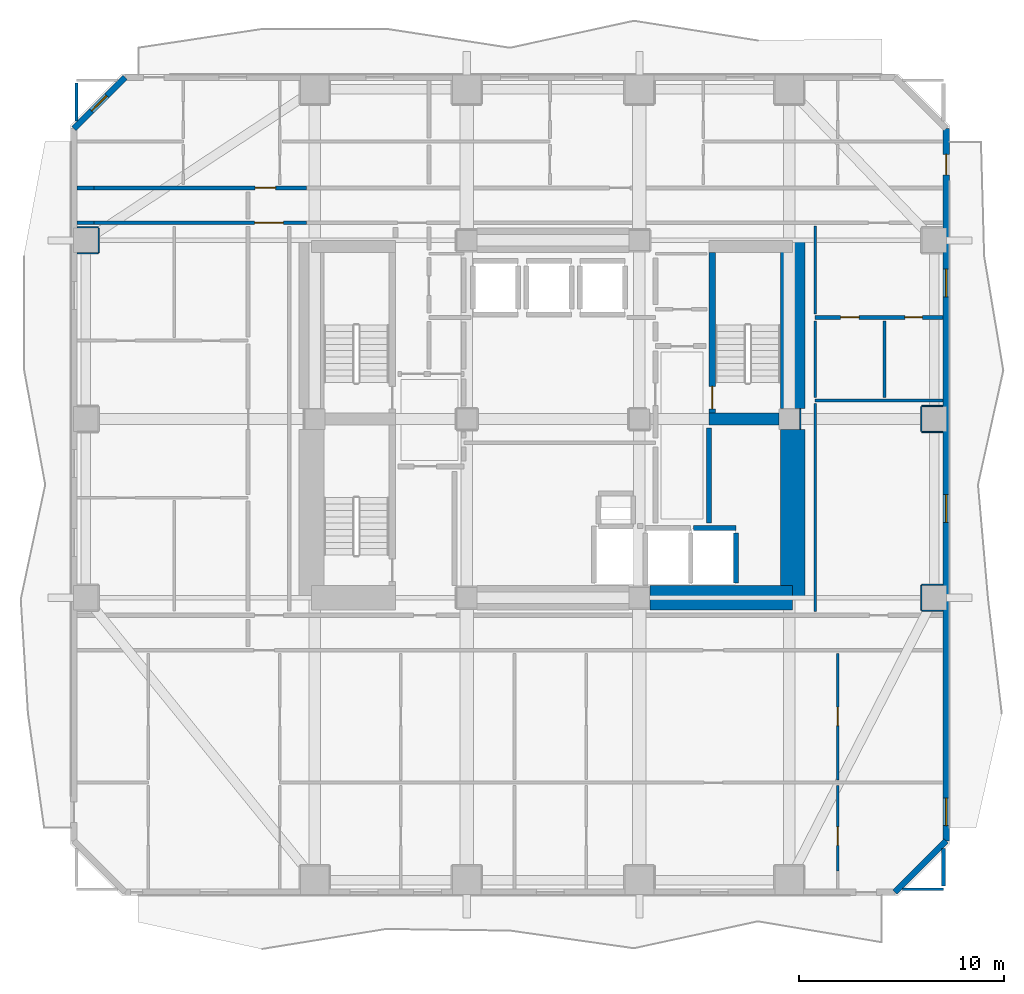
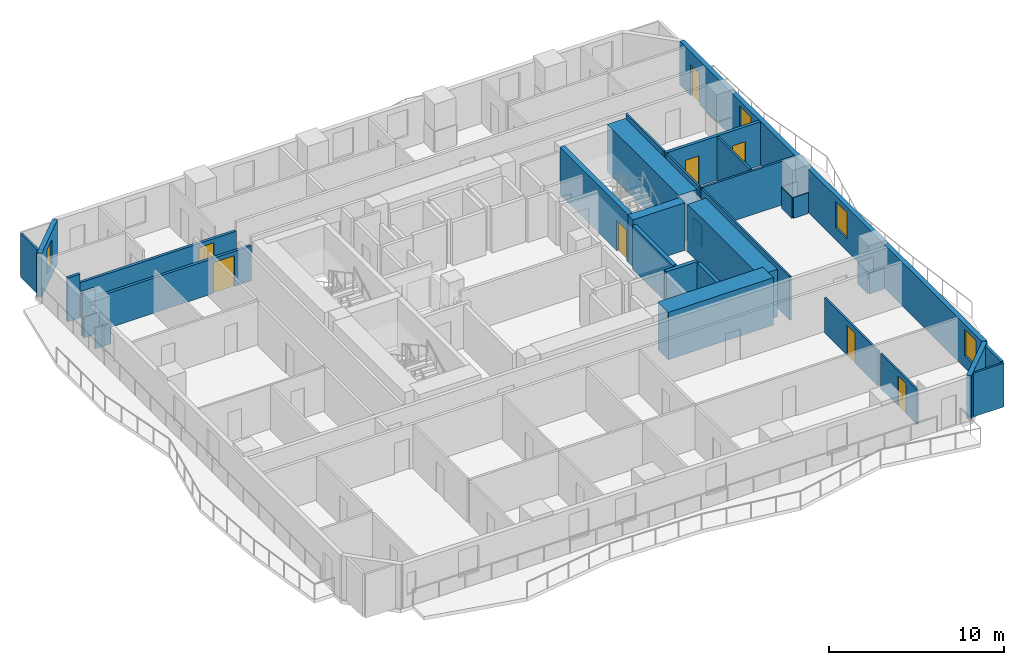
# One storey, part 5 of 11: 36 walls, 8 doors, 4 windows, 12 openings.
"""IFC4 building model written with IfcOpenShell, lengths in metres."""

from ifc_helpers import new_model, si_unit, direction, frame, frame_2d, origin, place, context, subcontext, project, spatial, rectangle, extrude, material, layer, layer_set, type_object, element, fill, save


model = new_model("IFC4")

# Units and contexts
model_context = context("Model", 3, precision=1e-05, world=origin(), true_north=direction((0.0, 1.0)))
body_context = subcontext(model_context, "Body", "Model", "MODEL_VIEW")
ifc_project = project(units=[si_unit("LENGTHUNIT", "METRE"), si_unit("AREAUNIT", "SQUARE_METRE"), si_unit("VOLUMEUNIT", "CUBIC_METRE"), si_unit("PLANEANGLEUNIT", "RADIAN"), si_unit("MASSUNIT", "GRAM", prefix="KILO")], contexts=[model_context])

# Site, building, storey
site_placement = place(None, origin())
site = spatial("IfcSite", under=ifc_project, at=site_placement, CompositionType="ELEMENT")
building_placement = place(site_placement, origin())
building = spatial("IfcBuilding", under=site, at=building_placement, Name="Solanera Arch Residences", CompositionType="ELEMENT")
storey_placement = place(building_placement, frame((0.0, 0.0, 31.9599609375)))
storey = spatial("IfcBuildingStorey", under=building, at=storey_placement, Name="L08", CompositionType="ELEMENT", Elevation=31.9599609375)

# Walls
ifc_material_1 = material(Name="Fire-Rated Gypsum Stud Partition", Category="gypsum")
ifc_layer_1 = layer(ifc_material_1, 0.06005859375)
ifc_layer_set_1 = layer_set([ifc_layer_1], Name="Fire-Rated Gypsum Stud Partition")
wall_type_1 = type_object("IfcWallType", Name="Column Acoustic Furring Wall 60", PredefinedType="PARTITIONING", material=ifc_layer_set_1)
wall_1_placement = place(storey_placement, frame((37.031982421875, 30.2099609375, 0.0), z_axis=(0.0, 0.0, 1.0), x_axis=(0.0, 1.0, 0.0)))
element("IfcWall", 1, at=wall_1_placement, inside=storey, type_object=wall_type_1, Name="L08 Column Furring 6E", PredefinedType="PARTITIONING", context=body_context, shape_type="SweptSolid", body=[
    extrude(rectangle(XDim=0.97998046875, YDim=0.06005859375, at=frame_2d((0.489990234375, 0.0))), origin(), (0.0, 0.0, 1.0), 1.449951171875),
])
for number, where, z_axis, x_axis, name in (
    (2, (42.949951171875, 21.367919921875, 0.0), (0.0, 0.0, 1.0), (1.0, 0.0, 0.0), "L08 Column Furring 18S"),
    (3, (42.949951171875, 22.632080078125, 0.0), (0.0, 0.0, 1.0), (1.0, 0.0, 0.0), "L08 Column Furring 18N"),
):
    element("IfcWall", number, at=place(storey_placement, frame(where, z_axis=z_axis, x_axis=x_axis)), inside=storey, type_object=wall_type_1, Name=name, PredefinedType="PARTITIONING", context=body_context, shape_type="SweptSolid", body=[
        extrude(rectangle(XDim=1.02001953125, YDim=0.06005859375, at=frame_2d((0.510009765625, 0.0))), origin(), (0.0, 0.0, 1.0), 1.449951171875),
    ])
wall_2_placement = place(storey_placement, frame((42.91796875, 21.39990234375, 0.0), z_axis=(0.0, 0.0, 1.0), x_axis=(0.0, 1.0, 0.0)))
element("IfcWall", 4, at=wall_2_placement, inside=storey, type_object=wall_type_1, Name="L08 Column Furring 18W", PredefinedType="PARTITIONING", context=body_context, shape_type="SweptSolid", body=[
    extrude(rectangle(XDim=1.2001953125, YDim=0.06005859375, at=frame_2d((0.60009765625, 0.0))), origin(), (0.0, 0.0, 1.0), 1.449951171875),
])
for number, where, z_axis, x_axis, name in (
    (5, (42.949951171875, 30.068115234375, 0.0), (0.0, 0.0, 1.0), (1.0, 0.0, 0.0), "L08 Column Furring 20S"),
    (6, (42.949951171875, 31.33203125, 0.0), (0.0, 0.0, 1.0), (1.0, 0.0, 0.0), "L08 Column Furring 20N"),
):
    element("IfcWall", number, at=place(storey_placement, frame(where, z_axis=z_axis, x_axis=x_axis)), inside=storey, type_object=wall_type_1, Name=name, PredefinedType="PARTITIONING", context=body_context, shape_type="SweptSolid", body=[
        extrude(rectangle(XDim=1.02001953125, YDim=0.06005859375, at=frame_2d((0.510009765625, 0.0))), origin(), (0.0, 0.0, 1.0), 1.449951171875),
    ])
wall_3_placement = place(storey_placement, frame((42.91796875, 30.10009765625, 0.0), z_axis=(0.0, 0.0, 1.0), x_axis=(0.0, 1.0, 0.0)))
element("IfcWall", 7, at=wall_3_placement, inside=storey, type_object=wall_type_1, Name="L08 Column Furring 20W", PredefinedType="PARTITIONING", context=body_context, shape_type="SweptSolid", body=[
    extrude(rectangle(XDim=1.199951171875, YDim=0.06005859375, at=frame_2d((0.60009765625, 0.0))), origin(), (0.0, 0.0, 1.0), 1.449951171875),
])
for number, where, z_axis, x_axis, name in (
    (8, (1.830078125, 38.76806640625, 0.0), (0.0, 0.0, 1.0), (1.0, 0.0, 0.0), "L08 Column Furring 21S"),
    (9, (1.830078125, 40.031982421875, 0.0), (0.0, 0.0, 1.0), (1.0, 0.0, 0.0), "L08 Column Furring 21N"),
):
    element("IfcWall", number, at=place(storey_placement, frame(where, z_axis=z_axis, x_axis=x_axis)), inside=storey, type_object=wall_type_1, Name=name, PredefinedType="PARTITIONING", context=body_context, shape_type="SweptSolid", body=[
        extrude(rectangle(XDim=1.02001953125, YDim=0.06005859375, at=frame_2d((0.510009765625, 0.0))), origin(), (0.0, 0.0, 1.0), 1.449951171875),
    ])
wall_4_placement = place(storey_placement, frame((2.882080078125, 38.800048828125, 0.0), z_axis=(0.0, 0.0, 1.0), x_axis=(0.0, 1.0, 0.0)))
element("IfcWall", 10, at=wall_4_placement, inside=storey, type_object=wall_type_1, Name="L08 Column Furring 21E", PredefinedType="PARTITIONING", context=body_context, shape_type="SweptSolid", body=[
    extrude(rectangle(XDim=1.199951171875, YDim=0.06005859375, at=frame_2d((0.60009765625, 0.0))), origin(), (0.0, 0.0, 1.0), 1.449951171875),
])
ifc_material_2 = material(Name="Concrete C55/67 (f'c = 60 MPa)", Category="concrete")
ifc_layer_2 = layer(ifc_material_2, 1.199951171875)
ifc_layer_set_2 = layer_set([ifc_layer_2], Name="Concrete C55/67 (f'c = 60 MPa)")
wall_type_2 = type_object("IfcWallType", Name="Core Shear Wall CW-1200", PredefinedType="SHEAR", material=ifc_layer_set_2)
wall_5_placement = place(storey_placement, frame((36.659912109375, 22.0, 0.0), z_axis=(0.0, 0.0, 1.0), x_axis=(0.0, 1.0, 0.0)))
element("IfcWall", 11, at=wall_5_placement, inside=storey, type_object=wall_type_2, Name="L08 East Core South Shear Wall", PredefinedType="SHEAR", context=body_context, shape_type="SweptSolid", body=[
    extrude(rectangle(XDim=8.195068359375, YDim=1.199951171875, at=frame_2d((4.09765625, 0.0))), origin(), (0.0, 0.0, 1.0), 3.320068359375),
])
wall_6_placement = place(storey_placement, frame((36.659912109375, 31.205078125, 0.0), z_axis=(0.0, 0.0, 1.0), x_axis=(0.0, 1.0, 0.0)))
element("IfcWall", 12, at=wall_6_placement, inside=storey, type_object=wall_type_2, Name="L08 East Core North Shear Wall", PredefinedType="SHEAR", context=body_context, shape_type="SweptSolid", body=[
    extrude(rectangle(XDim=8.19482421875, YDim=1.199951171875, at=frame_2d((4.097412109375, 0.0))), origin(), (0.0, 0.0, 1.0), 3.320068359375),
])
wall_7_placement = place(storey_placement, frame((29.705078125, 22.0, 0.0), z_axis=(0.0, 0.0, 1.0), x_axis=(1.0, 0.0, 0.0)))
element("IfcWall", 13, at=wall_7_placement, inside=storey, type_object=wall_type_2, Name="L08 South-East Core Shear Wall", PredefinedType="SHEAR", context=body_context, shape_type="SweptSolid", body=[
    extrude(rectangle(XDim=6.954833984375, YDim=1.199951171875, at=frame_2d((3.4775390625, 0.0))), origin(), (0.0, 0.0, 1.0), 3.320068359375),
])

# Wall, opening, door
ifc_material_3 = material(Name="Concrete C40/50 (f'c = 45 MPa)", Category="concrete")
ifc_layer_3 = layer(ifc_material_3, 0.320068359375)
ifc_layer_set_3 = layer_set([ifc_layer_3], Name="Concrete C40/50 (f'c = 45 MPa)")
wall_type_3 = type_object("IfcWallType", Name="Core Shear Wall CW-320", PredefinedType="SHEAR", material=ifc_layer_set_3)
wall_8_placement = place(storey_placement, frame((32.739990234375, 31.0, 0.0), z_axis=(0.0, 0.0, 1.0), x_axis=(0.0, 1.0, 0.0)))
wall_8 = element("IfcWall", 14, at=wall_8_placement, inside=storey, type_object=wall_type_3, Name="L08 Stair ST-T2 West Shear Wall", PredefinedType="SHEAR", context=body_context, shape_type="SweptSolid", body=[
    extrude(rectangle(XDim=7.800048828125, YDim=0.320068359375, at=frame_2d((3.89990234375, 0.0))), origin(), (0.0, 0.0, 1.0), 3.320068359375),
])
opening_1_placement = place(wall_8_placement, frame((0.18994140625, 0.0, 0.0)))
opening_1 = element("IfcOpeningElement", 15, at=opening_1_placement, cuts=wall_8, Name="Opening DF-01", PredefinedType="OPENING", context=body_context, shape_type="SweptSolid", body=[
    extrude(rectangle(XDim=1.10009765625, YDim=2.14990234375, at=frame_2d((0.550048828125, 1.074951171875))), frame((0.0, 0.169921875, 0.0), z_axis=(0.0, -1.0, 0.0), x_axis=(1.0, 0.0, 0.0)), (0.0, 0.0, 1.0), 0.3401),
])
ifc_material_4 = material(Name="Fire-Rated Architectural Hardwood", Category="wood")
door_type_1 = type_object("IfcDoorType", Name="Stair Exit Fire Door DF-01", OperationType="NOTDEFINED", PredefinedType="DOOR", material=ifc_material_4)
door_1_placement = place(opening_1_placement, origin())
door_1 = element("IfcDoor", 16, at=door_1_placement, inside=storey, type_object=door_type_1, Name="DR-L08-STAIR-ST-T2", OperationType="SINGLE_SWING_LEFT", OverallHeight=2.14990234375, OverallWidth=1.10009765625, PredefinedType="DOOR", context=body_context, shape_type="SweptSolid", body=[
    extrude(rectangle(XDim=1.10009765625, YDim=2.14990234375, at=frame_2d((0.550048828125, 1.074951171875))), frame((0.0, 0.02490234375, 0.0), z_axis=(0.0, -1.0, 0.0), x_axis=(1.0, 0.0, 0.0)), (0.0, 0.0, 1.0), 0.050048828125),
])
fill(opening_1, door_1)

# Walls
ifc_material_5 = material(Name="Concrete C40/50 (f'c = 45 MPa)", Category="concrete")
ifc_layer_4 = layer(ifc_material_5, 0.60009765625)
ifc_layer_set_4 = layer_set([ifc_layer_4], Name="Concrete C40/50 (f'c = 45 MPa)")
wall_type_4 = type_object("IfcWallType", Name="Core Shear Wall CW-600", PredefinedType="SHEAR", material=ifc_layer_set_4)
wall_9_placement = place(storey_placement, frame((32.580078125, 30.699951171875, 0.0), z_axis=(0.0, 0.0, 1.0), x_axis=(1.0, 0.0, 0.0)))
element("IfcWall", 17, at=wall_9_placement, inside=storey, type_object=wall_type_4, Name="L08 East Stair Far-Landing Shear Wall", PredefinedType="SHEAR", context=body_context, shape_type="SweptSolid", body=[
    extrude(rectangle(XDim=3.4150390625, YDim=0.60009765625, at=frame_2d((1.70751953125, 0.0))), origin(), (0.0, 0.0, 1.0), 3.320068359375),
])
ifc_material_6 = material(Name="Autoclaved Aerated Concrete Blockwork", Category="masonry")
ifc_layer_5 = layer(ifc_material_6, 0.179931640625)
ifc_layer_set_5 = layer_set([ifc_layer_5], Name="Autoclaved Aerated Concrete Blockwork")
wall_type_5 = type_object("IfcWallType", Name="Corridor Fire Partition 180", PredefinedType="PARTITIONING", material=ifc_layer_set_5)
wall_10_placement = place(storey_placement, frame((1.826904296875, 40.25, 0.0), z_axis=(0.0, 0.0, 1.0), x_axis=(1.0, 0.0, 0.0)))
element("IfcWall", 18, at=wall_10_placement, inside=storey, type_object=wall_type_5, Name="L08 Interior Partition H11 1", PredefinedType="PARTITIONING", context=body_context, shape_type="SweptSolid", body=[
    extrude(rectangle(XDim=0.833984375, YDim=0.179931640625, at=frame_2d((0.4169921875, 0.0))), origin(), (0.0, 0.0, 1.0), 3.06005859375),
])

# Wall, opening, door
wall_11_placement = place(storey_placement, frame((2.660888671875, 40.25, 0.0), z_axis=(0.0, 0.0, 1.0), x_axis=(1.0, 0.0, 0.0)))
wall_11 = element("IfcWall", 19, at=wall_11_placement, inside=storey, type_object=wall_type_5, Name="L08 Interior Partition H11 2", PredefinedType="PARTITIONING", context=body_context, shape_type="SweptSolid", body=[
    extrude(rectangle(XDim=10.328125, YDim=0.179931640625, at=frame_2d((5.1640625, 0.0))), origin(), (0.0, 0.0, 1.0), 2.445068359375),
])
opening_2_placement = place(wall_11_placement, frame((7.81298828125, 0.0, 0.0)))
opening_2 = element("IfcOpeningElement", 20, at=opening_2_placement, cuts=wall_11, Name="Opening DF-03", PredefinedType="OPENING", context=body_context, shape_type="SweptSolid", body=[
    extrude(rectangle(XDim=1.39990234375, YDim=2.14990234375, at=frame_2d((0.699951171875, 1.074951171875))), frame((0.0, 0.10009765625, 0.0), z_axis=(0.0, -1.0, 0.0), x_axis=(1.0, 0.0, 0.0)), (0.0, 0.0, 1.0), 0.1999),
])
ifc_material_7 = material(Name="Fire-Rated Architectural Hardwood", Category="wood")
door_type_2 = type_object("IfcDoorType", Name="Corridor Smoke Door DF-03", OperationType="NOTDEFINED", PredefinedType="DOOR", material=ifc_material_7)
door_2_placement = place(opening_2_placement, origin())
door_2 = element("IfcDoor", 21, at=door_2_placement, inside=storey, type_object=door_type_2, Name="DR-L08-IN-011", OperationType="SINGLE_SWING_RIGHT", OverallHeight=2.14990234375, OverallWidth=1.39990234375, PredefinedType="DOOR", context=body_context, shape_type="SweptSolid", body=[
    extrude(rectangle(XDim=1.39990234375, YDim=2.14990234375, at=frame_2d((0.699951171875, 1.074951171875))), frame((0.0, 0.02490234375, 0.0), z_axis=(0.0, -1.0, 0.0), x_axis=(1.0, 0.0, 0.0)), (0.0, 0.0, 1.0), 0.050048828125),
])
fill(opening_2, door_2)

# Wall
wall_12_placement = place(storey_placement, frame((1.826904296875, 41.949951171875, 0.0), z_axis=(0.0, 0.0, 1.0), x_axis=(1.0, 0.0, 0.0)))
element("IfcWall", 22, at=wall_12_placement, inside=storey, type_object=wall_type_5, Name="L08 Interior Partition H12 1", PredefinedType="PARTITIONING", context=body_context, shape_type="SweptSolid", body=[
    extrude(rectangle(XDim=0.833984375, YDim=0.179931640625, at=frame_2d((0.4169921875, 0.0))), origin(), (0.0, 0.0, 1.0), 3.06005859375),
])

# Wall, opening, door
wall_13_placement = place(storey_placement, frame((2.660888671875, 41.949951171875, 0.0), z_axis=(0.0, 0.0, 1.0), x_axis=(1.0, 0.0, 0.0)))
wall_13 = element("IfcWall", 23, at=wall_13_placement, inside=storey, type_object=wall_type_5, Name="L08 Interior Partition H12 2", PredefinedType="PARTITIONING", context=body_context, shape_type="SweptSolid", body=[
    extrude(rectangle(XDim=10.328125, YDim=0.179931640625, at=frame_2d((5.1640625, 0.0))), origin(), (0.0, 0.0, 1.0), 2.445068359375),
])
opening_3_placement = place(wall_13_placement, frame((7.833984375, 0.0, 0.0)))
opening_3 = element("IfcOpeningElement", 24, at=opening_3_placement, cuts=wall_13, Name="Opening DI-01", PredefinedType="OPENING", context=body_context, shape_type="SweptSolid", body=[
    extrude(rectangle(XDim=1.0, YDim=2.14990234375, at=frame_2d((0.5, 1.074951171875))), frame((0.0, 0.10009765625, 0.0), z_axis=(0.0, -1.0, 0.0), x_axis=(1.0, 0.0, 0.0)), (0.0, 0.0, 1.0), 0.1999),
])
ifc_material_8 = material(Name="Fire-Rated Architectural Hardwood", Category="wood")
door_type_3 = type_object("IfcDoorType", Name="Unit Entrance Fire Door DI-01", OperationType="NOTDEFINED", PredefinedType="DOOR", material=ifc_material_8)
door_3_placement = place(opening_3_placement, origin())
door_3 = element("IfcDoor", 25, at=door_3_placement, inside=storey, type_object=door_type_3, Name="DR-L08-IN-028", OperationType="SINGLE_SWING_LEFT", OverallHeight=2.14990234375, OverallWidth=1.0, PredefinedType="DOOR", context=body_context, shape_type="SweptSolid", body=[
    extrude(rectangle(XDim=1.0, YDim=2.14990234375, at=frame_2d((0.5, 1.074951171875))), frame((0.0, 0.02490234375, 0.0), z_axis=(0.0, -1.0, 0.0), x_axis=(1.0, 0.0, 0.0)), (0.0, 0.0, 1.0), 0.050048828125),
])
fill(opening_3, door_3)

# Wall
wall_14_placement = place(storey_placement, frame((44.0, 7.9580078125, 0.0), z_axis=(0.0, 0.0, 1.0), x_axis=(0.0, 1.0, 0.0)))
element("IfcWall", 26, at=wall_14_placement, inside=storey, type_object=wall_type_5, Name="L08 Interior Partition V10 1", PredefinedType="PARTITIONING", context=body_context, shape_type="SweptSolid", body=[
    extrude(rectangle(XDim=1.843017578125, YDim=0.179931640625, at=frame_2d((0.92138671875, 0.0))), origin(), (0.0, 0.0, 1.0), 3.06005859375),
])

# Wall, opening, window
ifc_material_9 = material(Name="Precast Concrete C35/45", Category="concrete")
ifc_layer_6 = layer(ifc_material_9, 0.300048828125)
ifc_layer_set_6 = layer_set([ifc_layer_6], Name="Precast Concrete C35/45")
wall_type_6 = type_object("IfcWallType", Name="Exterior Wall Precast Masonry-Frame 300", PredefinedType="STANDARD", material=ifc_layer_set_6)
wall_15_placement = place(storey_placement, frame((1.6650390625, 44.8349609375, 0.0), z_axis=(0.0, 0.0, 1.0), x_axis=(0.707106781187, 0.707106781187, 0.0)))
wall_15 = element("IfcWall", 27, at=wall_15_placement, inside=storey, type_object=wall_type_6, Name="L08 Tower Exterior Precast Masonry-Frame Wall CH1", PredefinedType="STANDARD", context=body_context, shape_type="SweptSolid", body=[
    extrude(rectangle(XDim=3.53564453125, YDim=0.300048828125, at=frame_2d((1.767822265625, 0.0))), origin(), (0.0, 0.0, 1.0), 3.06005859375),
])
opening_4_placement = place(wall_15_placement, frame((1.219970703125, 0.0, 0.85009765625)))
opening_4 = element("IfcOpeningElement", 28, at=opening_4_placement, cuts=wall_15, Name="Opening W-07", PredefinedType="OPENING", context=body_context, shape_type="SweptSolid", body=[
    extrude(rectangle(XDim=1.050048828125, YDim=1.64990234375, at=frame_2d((0.52490234375, 0.824951171875))), frame((0.0, 0.159912109375, 0.0), z_axis=(0.0, -1.0, 0.0), x_axis=(1.0, 0.0, 0.0)), (0.0, 0.0, 1.0), 0.32),
])
ifc_material_10 = material(Name="Double Glazed Low-E Laminated Glass", Category="glass")
window_type_1 = type_object("IfcWindowType", Name="Punched Window W-07", PartitioningType="SINGLE_PANEL", PredefinedType="WINDOW", material=ifc_material_10)
window_1_placement = place(opening_4_placement, origin())
window_1 = element("IfcWindow", 29, at=window_1_placement, inside=storey, type_object=window_type_1, Name="L08 0803-BR1 Corner Punched Window", OverallHeight=1.64990234375, OverallWidth=1.050048828125, PartitioningType="SINGLE_PANEL", PredefinedType="WINDOW", context=body_context, shape_type="SweptSolid", body=[
    extrude(rectangle(XDim=1.050048828125, YDim=1.64990234375, at=frame_2d((0.52490234375, 0.824951171875))), frame((0.0, 0.030029296875, 0.0), z_axis=(0.0, -1.0, 0.0), x_axis=(1.0, 0.0, 0.0)), (0.0, 0.0, 1.0), 0.06005859375),
])
fill(opening_4, window_1)

# Wall, openings, door, windows
wall_16_placement = place(storey_placement, frame((44.135009765625, 44.8349609375, 0.0), z_axis=(0.0, 0.0, 1.0), x_axis=(0.0, -1.0, 0.0)))
wall_16 = element("IfcWall", 30, at=wall_16_placement, inside=storey, type_object=wall_type_6, Name="L08 Tower Exterior Precast Masonry-Frame Wall E", PredefinedType="STANDARD", context=body_context, shape_type="SweptSolid", body=[
    extrude(rectangle(XDim=34.669921875, YDim=0.300048828125, at=frame_2d((17.3349609375, 0.0))), origin(), (0.0, 0.0, 1.0), 3.06005859375),
])
opening_5_placement = place(wall_16_placement, frame((1.2509765625, 0.0, 0.0)))
opening_5 = element("IfcOpeningElement", 31, at=opening_5_placement, cuts=wall_16, Name="Opening DB-01", PredefinedType="OPENING", context=body_context, shape_type="SweptSolid", body=[
    extrude(rectangle(XDim=1.0, YDim=2.14990234375, at=frame_2d((0.5, 1.074951171875))), frame((0.0, 0.159912109375, 0.0), z_axis=(0.0, -1.0, 0.0), x_axis=(1.0, 0.0, 0.0)), (0.0, 0.0, 1.0), 0.32),
])
opening_6_placement = place(wall_16_placement, frame((32.5830078125, 0.0, 0.85009765625)))
opening_6 = element("IfcOpeningElement", 32, at=opening_6_placement, cuts=wall_16, Name="Opening W-10", PredefinedType="OPENING", context=body_context, shape_type="SweptSolid", body=[
    extrude(rectangle(XDim=1.35009765625, YDim=1.85009765625, at=frame_2d((0.675048828125, 0.925048828125))), frame((0.0, 0.159912109375, 0.0), z_axis=(0.0, -1.0, 0.0), x_axis=(1.0, 0.0, 0.0)), (0.0, 0.0, 1.0), 0.32),
])
opening_7_placement = place(wall_16_placement, frame((17.81005859375, 0.0, 0.85009765625)))
opening_7 = element("IfcOpeningElement", 33, at=opening_7_placement, cuts=wall_16, Name="Opening W-10", PredefinedType="OPENING", context=body_context, shape_type="SweptSolid", body=[
    extrude(rectangle(XDim=1.35009765625, YDim=1.85009765625, at=frame_2d((0.675048828125, 0.925048828125))), frame((0.0, 0.159912109375, 0.0), z_axis=(0.0, -1.0, 0.0), x_axis=(1.0, 0.0, 0.0)), (0.0, 0.0, 1.0), 0.32),
])
opening_8_placement = place(wall_16_placement, frame((6.833984375, 0.0, 0.85009765625)))
opening_8 = element("IfcOpeningElement", 34, at=opening_8_placement, cuts=wall_16, Name="Opening W-10", PredefinedType="OPENING", context=body_context, shape_type="SweptSolid", body=[
    extrude(rectangle(XDim=1.35009765625, YDim=1.85009765625, at=frame_2d((0.675048828125, 0.925048828125))), frame((0.0, 0.159912109375, 0.0), z_axis=(0.0, -1.0, 0.0), x_axis=(1.0, 0.0, 0.0)), (0.0, 0.0, 1.0), 0.32),
])
ifc_material_11 = material(Name="Anodised Aluminium Alloy 6063-T6", Category="aluminium")
door_type_4 = type_object("IfcDoorType", Name="Glazed Balcony Swing Door DB-01", OperationType="NOTDEFINED", PredefinedType="DOOR", material=ifc_material_11)
door_4_placement = place(opening_5_placement, origin())
door_4 = element("IfcDoor", 35, at=door_4_placement, inside=storey, type_object=door_type_4, Name="DR-L08-OUT-03", OperationType="SINGLE_SWING_RIGHT", OverallHeight=2.14990234375, OverallWidth=1.0, PredefinedType="DOOR", context=body_context, shape_type="SweptSolid", body=[
    extrude(rectangle(XDim=1.0, YDim=2.14990234375, at=frame_2d((0.5, 1.074951171875))), frame((0.0, 0.02490234375, 0.0), z_axis=(0.0, -1.0, 0.0), x_axis=(1.0, 0.0, 0.0)), (0.0, 0.0, 1.0), 0.050048828125),
])
fill(opening_5, door_4)
ifc_material_12 = material(Name="Double Glazed Low-E Laminated Glass", Category="glass")
window_type_2 = type_object("IfcWindowType", Name="Punched Window W-10", PartitioningType="DOUBLE_PANEL_VERTICAL", PredefinedType="WINDOW", material=ifc_material_12)
window_2_placement = place(opening_6_placement, origin())
window_2 = element("IfcWindow", 36, at=window_2_placement, inside=storey, type_object=window_type_2, Name="L08 0802-BR2 Punched Window", OverallHeight=1.85009765625, OverallWidth=1.35009765625, PartitioningType="SINGLE_PANEL", PredefinedType="WINDOW", context=body_context, shape_type="SweptSolid", body=[
    extrude(rectangle(XDim=1.35009765625, YDim=1.85009765625, at=frame_2d((0.675048828125, 0.925048828125))), frame((0.0, 0.030029296875, 0.0), z_axis=(0.0, -1.0, 0.0), x_axis=(1.0, 0.0, 0.0)), (0.0, 0.0, 1.0), 0.06005859375),
])
fill(opening_6, window_2)
window_3_placement = place(opening_7_placement, origin())
window_3 = element("IfcWindow", 37, at=window_3_placement, inside=storey, type_object=window_type_2, Name="L08 AMN-STDE Punched Window", OverallHeight=1.85009765625, OverallWidth=1.35009765625, PartitioningType="SINGLE_PANEL", PredefinedType="WINDOW", context=body_context, shape_type="SweptSolid", body=[
    extrude(rectangle(XDim=1.35009765625, YDim=1.85009765625, at=frame_2d((0.675048828125, 0.925048828125))), frame((0.0, 0.030029296875, 0.0), z_axis=(0.0, -1.0, 0.0), x_axis=(1.0, 0.0, 0.0)), (0.0, 0.0, 1.0), 0.06005859375),
])
fill(opening_7, window_3)
window_4_placement = place(opening_8_placement, origin())
window_4 = element("IfcWindow", 38, at=window_4_placement, inside=storey, type_object=window_type_2, Name="L08 0806-LIV Punched Window", OverallHeight=1.85009765625, OverallWidth=1.35009765625, PartitioningType="SINGLE_PANEL", PredefinedType="WINDOW", context=body_context, shape_type="SweptSolid", body=[
    extrude(rectangle(XDim=1.35009765625, YDim=1.85009765625, at=frame_2d((0.675048828125, 0.925048828125))), frame((0.0, 0.030029296875, 0.0), z_axis=(0.0, -1.0, 0.0), x_axis=(1.0, 0.0, 0.0)), (0.0, 0.0, 1.0), 0.06005859375),
])
fill(opening_8, window_4)

# Wall
wall_17_placement = place(storey_placement, frame((44.135009765625, 10.1650390625, 0.0), z_axis=(0.0, 0.0, 1.0), x_axis=(-0.707106781187, -0.707106781187, 0.0)))
element("IfcWall", 39, at=wall_17_placement, inside=storey, type_object=wall_type_6, Name="L08 Tower Exterior Precast Masonry-Frame Wall CH5", PredefinedType="STANDARD", context=body_context, shape_type="SweptSolid", body=[
    extrude(rectangle(XDim=3.53564453125, YDim=0.300048828125, at=frame_2d((1.767822265625, 0.0))), origin(), (0.0, 0.0, 1.0), 3.06005859375),
])

# Wall, openings, doors
ifc_material_13 = material(Name="Autoclaved Aerated Concrete Blockwork", Category="masonry")
ifc_layer_7 = layer(ifc_material_13, 0.199951171875)
ifc_layer_set_7 = layer_set([ifc_layer_7], Name="Autoclaved Aerated Concrete Blockwork")
wall_type_7 = type_object("IfcWallType", Name="Party Wall Acoustic 200", PredefinedType="PARTITIONING", material=ifc_layer_set_7)
wall_18_placement = place(storey_placement, frame((37.75, 35.64990234375, 0.0), z_axis=(0.0, 0.0, 1.0), x_axis=(1.0, 0.0, 0.0)))
wall_18 = element("IfcWall", 40, at=wall_18_placement, inside=storey, type_object=wall_type_7, Name="L08 Interior Partition H7", PredefinedType="PARTITIONING", context=body_context, shape_type="SweptSolid", body=[
    extrude(rectangle(XDim=6.222900390625, YDim=0.199951171875, at=frame_2d((3.111328125, 0.0))), origin(), (0.0, 0.0, 1.0), 3.06005859375),
])
opening_9_placement = place(wall_18_placement, frame((1.25, 0.0, 0.0)))
opening_9 = element("IfcOpeningElement", 41, at=opening_9_placement, cuts=wall_18, Name="Opening DI-02", PredefinedType="OPENING", context=body_context, shape_type="SweptSolid", body=[
    extrude(rectangle(XDim=0.89990234375, YDim=2.10009765625, at=frame_2d((0.449951171875, 1.050048828125))), frame((0.0, 0.110107421875, 0.0), z_axis=(0.0, -1.0, 0.0), x_axis=(1.0, 0.0, 0.0)), (0.0, 0.0, 1.0), 0.22),
])
opening_10_placement = place(wall_18_placement, frame((4.3701171875, 0.0, 0.0)))
opening_10 = element("IfcOpeningElement", 42, at=opening_10_placement, cuts=wall_18, Name="Opening DI-05", PredefinedType="OPENING", context=body_context, shape_type="SweptSolid", body=[
    extrude(rectangle(XDim=0.860107421875, YDim=2.02001953125, at=frame_2d((0.43017578125, 1.010009765625))), frame((0.0, 0.110107421875, 0.0), z_axis=(0.0, -1.0, 0.0), x_axis=(1.0, 0.0, 0.0)), (0.0, 0.0, 1.0), 0.22),
])
ifc_material_14 = material(Name="Fire-Rated Architectural Hardwood", Category="wood")
door_type_5 = type_object("IfcDoorType", Name="Bathroom Swing Door DI-05", OperationType="NOTDEFINED", PredefinedType="DOOR", material=ifc_material_14)
door_5_placement = place(opening_10_placement, origin())
door_5 = element("IfcDoor", 43, at=door_5_placement, inside=storey, type_object=door_type_5, Name="DR-L08-IN-048", OperationType="SINGLE_SWING_LEFT", OverallHeight=2.02001953125, OverallWidth=0.860107421875, PredefinedType="DOOR", context=body_context, shape_type="SweptSolid", body=[
    extrude(rectangle(XDim=0.860107421875, YDim=2.02001953125, at=frame_2d((0.43017578125, 1.010009765625))), frame((0.0, 0.02490234375, 0.0), z_axis=(0.0, -1.0, 0.0), x_axis=(1.0, 0.0, 0.0)), (0.0, 0.0, 1.0), 0.050048828125),
])
fill(opening_10, door_5)
ifc_material_15 = material(Name="Fire-Rated Architectural Hardwood", Category="wood")
door_type_6 = type_object("IfcDoorType", Name="Suite Room Swing Door DI-02", OperationType="NOTDEFINED", PredefinedType="DOOR", material=ifc_material_15)
door_6_placement = place(opening_9_placement, origin())
door_6 = element("IfcDoor", 44, at=door_6_placement, inside=storey, type_object=door_type_6, Name="DR-L08-IN-047", OperationType="SINGLE_SWING_RIGHT", OverallHeight=2.10009765625, OverallWidth=0.89990234375, PredefinedType="DOOR", context=body_context, shape_type="SweptSolid", body=[
    extrude(rectangle(XDim=0.89990234375, YDim=2.10009765625, at=frame_2d((0.449951171875, 1.050048828125))), frame((0.0, 0.02490234375, 0.0), z_axis=(0.0, -1.0, 0.0), x_axis=(1.0, 0.0, 0.0)), (0.0, 0.0, 1.0), 0.050048828125),
])
fill(opening_9, door_6)

# Walls
ifc_material_16 = material(Name="Autoclaved Aerated Concrete Blockwork", Category="masonry")
ifc_layer_8 = layer(ifc_material_16, 0.239990234375)
ifc_layer_set_8 = layer_set([ifc_layer_8], Name="Autoclaved Aerated Concrete Blockwork")
wall_type_8 = type_object("IfcWallType", Name="Shaft Wall Fire-Rated 240", PredefinedType="PARTITIONING", material=ifc_layer_set_8)
wall_19_placement = place(storey_placement, frame((31.827880859375, 25.39990234375, 0.0), z_axis=(0.0, 0.0, 1.0), x_axis=(1.0, 0.0, 0.0)))
element("IfcWall", 45, at=wall_19_placement, inside=storey, type_object=wall_type_8, Name="L08 Lift FFL-2 Hoistway Wall N", PredefinedType="PARTITIONING", context=body_context, shape_type="SweptSolid", body=[
    extrude(rectangle(XDim=2.072021484375, YDim=0.239990234375, at=frame_2d((1.0361328125, 0.0))), origin(), (0.0, 0.0, 1.0), 3.06005859375),
])
wall_20_placement = place(storey_placement, frame((33.89990234375, 22.72998046875, 0.0), z_axis=(0.0, 0.0, 1.0), x_axis=(0.0, 1.0, 0.0)))
element("IfcWall", 46, at=wall_20_placement, inside=storey, type_object=wall_type_8, Name="L08 Lift FFL-2 Hoistway Wall E", PredefinedType="PARTITIONING", context=body_context, shape_type="SweptSolid", body=[
    extrude(rectangle(XDim=2.422119140625, YDim=0.239990234375, at=frame_2d((1.2109375, 0.0))), origin(), (0.0, 0.0, 1.0), 3.06005859375),
])
wall_21_placement = place(storey_placement, frame((32.580078125, 25.64794921875, 0.0), z_axis=(0.0, 0.0, 1.0), x_axis=(0.0, 1.0, 0.0)))
element("IfcWall", 47, at=wall_21_placement, inside=storey, type_object=wall_type_8, Name="L08 Interior Partition V5", PredefinedType="PARTITIONING", context=body_context, shape_type="SweptSolid", body=[
    extrude(rectangle(XDim=4.6220703125, YDim=0.239990234375, at=frame_2d((2.31103515625, 0.0))), origin(), (0.0, 0.0, 1.0), 3.06005859375),
])
ifc_material_17 = material(Name="Fire-Rated Gypsum Stud Partition", Category="gypsum")
ifc_layer_9 = layer(ifc_material_17, 0.1201171875)
ifc_layer_set_9 = layer_set([ifc_layer_9], Name="Fire-Rated Gypsum Stud Partition")
wall_type_9 = type_object("IfcWallType", Name="Unit Drywall Partition 120", PredefinedType="PARTITIONING", material=ifc_layer_set_9)
wall_22_placement = place(storey_placement, frame((41.9990234375, 7.800048828125, 0.0), z_axis=(0.0, 0.0, 1.0), x_axis=(1.0, 0.0, 0.0)))
element("IfcWall", 48, at=wall_22_placement, inside=storey, type_object=wall_type_9, Name="L08 Interior Partition H22 2", PredefinedType="PARTITIONING", context=body_context, shape_type="SweptSolid", body=[
    extrude(rectangle(XDim=2.0009765625, YDim=0.1201171875, at=frame_2d((1.00048828125, 0.0))), origin(), (0.0, 0.0, 1.0), 3.06005859375),
])
wall_23_placement = place(storey_placement, frame((37.75, 21.337890625, 0.0), z_axis=(0.0, 0.0, 1.0), x_axis=(0.0, 1.0, 0.0)))
element("IfcWall", 49, at=wall_23_placement, inside=storey, type_object=wall_type_9, Name="L08 Interior Partition V26 1", PredefinedType="PARTITIONING", context=body_context, shape_type="SweptSolid", body=[
    extrude(rectangle(XDim=10.1240234375, YDim=0.1201171875, at=frame_2d((5.06201171875, 0.0))), origin(), (0.0, 0.0, 1.0), 3.06005859375),
])
wall_24_placement = place(storey_placement, frame((37.75, 31.738037109375, 0.0), z_axis=(0.0, 0.0, 1.0), x_axis=(0.0, 1.0, 0.0)))
element("IfcWall", 50, at=wall_24_placement, inside=storey, type_object=wall_type_9, Name="L08 Interior Partition V26 2", PredefinedType="PARTITIONING", context=body_context, shape_type="SweptSolid", body=[
    extrude(rectangle(XDim=3.743896484375, YDim=0.1201171875, at=frame_2d((1.8720703125, 0.0))), origin(), (0.0, 0.0, 1.0), 3.06005859375),
])
wall_25_placement = place(storey_placement, frame((37.75, 35.818115234375, 0.0), z_axis=(0.0, 0.0, 1.0), x_axis=(0.0, 1.0, 0.0)))
element("IfcWall", 51, at=wall_25_placement, inside=storey, type_object=wall_type_9, Name="L08 Interior Partition V26 3", PredefinedType="PARTITIONING", context=body_context, shape_type="SweptSolid", body=[
    extrude(rectangle(XDim=4.27392578125, YDim=0.1201171875, at=frame_2d((2.136962890625, 0.0))), origin(), (0.0, 0.0, 1.0), 3.06005859375),
])

# Wall, opening, door
wall_26_placement = place(storey_placement, frame((38.85498046875, 8.69091796875, 0.0), z_axis=(0.0, 0.0, 1.0), x_axis=(0.0, 1.0, 0.0)))
wall_26 = element("IfcWall", 52, at=wall_26_placement, inside=storey, type_object=wall_type_9, Name="L08 Interior Partition V27 2", PredefinedType="PARTITIONING", context=body_context, shape_type="SweptSolid", body=[
    extrude(rectangle(XDim=4.171142578125, YDim=0.1201171875, at=frame_2d((2.08544921875, 0.0))), origin(), (0.0, 0.0, 1.0), 2.445068359375),
])
opening_11_placement = place(wall_26_placement, frame((1.259033203125, 0.0, 0.0)))
opening_11 = element("IfcOpeningElement", 53, at=opening_11_placement, cuts=wall_26, Name="Opening DI-03", PredefinedType="OPENING", context=body_context, shape_type="SweptSolid", body=[
    extrude(rectangle(XDim=0.89990234375, YDim=2.10009765625, at=frame_2d((0.449951171875, 1.050048828125))), frame((0.0, 0.070068359375, 0.0), z_axis=(0.0, -1.0, 0.0), x_axis=(1.0, 0.0, 0.0)), (0.0, 0.0, 1.0), 0.1401),
])
ifc_material_18 = material(Name="Fire-Rated Architectural Hardwood", Category="wood")
door_type_7 = type_object("IfcDoorType", Name="Bedroom Swing Door DI-03", OperationType="NOTDEFINED", PredefinedType="DOOR", material=ifc_material_18)
door_7_placement = place(opening_11_placement, origin())
door_7 = element("IfcDoor", 54, at=door_7_placement, inside=storey, type_object=door_type_7, Name="DR-L08-IN-027", OperationType="SINGLE_SWING_RIGHT", OverallHeight=2.10009765625, OverallWidth=0.89990234375, PredefinedType="DOOR", context=body_context, shape_type="SweptSolid", body=[
    extrude(rectangle(XDim=0.89990234375, YDim=2.10009765625, at=frame_2d((0.449951171875, 1.050048828125))), frame((0.0, 0.02490234375, 0.0), z_axis=(0.0, -1.0, 0.0), x_axis=(1.0, 0.0, 0.0)), (0.0, 0.0, 1.0), 0.050048828125),
])
fill(opening_11, door_7)

wall_27_placement = place(storey_placement, frame((38.85498046875, 13.137939453125, 0.0), z_axis=(0.0, 0.0, 1.0), x_axis=(0.0, 1.0, 0.0)))
wall_27 = element("IfcWall", 55, at=wall_27_placement, inside=storey, type_object=wall_type_9, Name="L08 Interior Partition V27 3", PredefinedType="PARTITIONING", context=body_context, shape_type="SweptSolid", body=[
    extrude(rectangle(XDim=6.154052734375, YDim=0.1201171875, at=frame_2d((3.0771484375, 0.0))), origin(), (0.0, 0.0, 1.0), 2.445068359375),
])
opening_12_placement = place(wall_27_placement, frame((2.636962890625, 0.0, 0.0)))
opening_12 = element("IfcOpeningElement", 56, at=opening_12_placement, cuts=wall_27, Name="Opening DI-02", PredefinedType="OPENING", context=body_context, shape_type="SweptSolid", body=[
    extrude(rectangle(XDim=0.89990234375, YDim=2.10009765625, at=frame_2d((0.449951171875, 1.050048828125))), frame((0.0, 0.070068359375, 0.0), z_axis=(0.0, -1.0, 0.0), x_axis=(1.0, 0.0, 0.0)), (0.0, 0.0, 1.0), 0.1401),
])
door_8_placement = place(opening_12_placement, origin())
door_8 = element("IfcDoor", 57, at=door_8_placement, inside=storey, type_object=door_type_6, Name="DR-L08-IN-026", OperationType="SINGLE_SWING_LEFT", OverallHeight=2.10009765625, OverallWidth=0.89990234375, PredefinedType="DOOR", context=body_context, shape_type="SweptSolid", body=[
    extrude(rectangle(XDim=0.89990234375, YDim=2.10009765625, at=frame_2d((0.449951171875, 1.050048828125))), frame((0.0, 0.02490234375, 0.0), z_axis=(0.0, -1.0, 0.0), x_axis=(1.0, 0.0, 0.0)), (0.0, 0.0, 1.0), 0.050048828125),
])
fill(opening_12, door_8)

# Walls
ifc_material_19 = material(Name="Autoclaved Aerated Concrete Blockwork", Category="masonry")
ifc_layer_10 = layer(ifc_material_19, 0.139892578125)
ifc_layer_set_10 = layer_set([ifc_layer_10], Name="Autoclaved Aerated Concrete Blockwork")
wall_type_10 = type_object("IfcWallType", Name="Wet-Room Partition 140", PredefinedType="PARTITIONING", material=ifc_layer_set_10)
wall_28_placement = place(storey_placement, frame((37.75, 31.60009765625, 0.0), z_axis=(0.0, 0.0, 1.0), x_axis=(1.0, 0.0, 0.0)))
element("IfcWall", 58, at=wall_28_placement, inside=storey, type_object=wall_type_10, Name="L08 Interior Partition H15", PredefinedType="PARTITIONING", context=body_context, shape_type="SweptSolid", body=[
    extrude(rectangle(XDim=6.222900390625, YDim=0.139892578125, at=frame_2d((3.111328125, 0.0))), origin(), (0.0, 0.0, 1.0), 3.06005859375),
])
wall_29_placement = place(storey_placement, frame((1.800048828125, 45.198974609375, 0.0), z_axis=(0.0, 0.0, 1.0), x_axis=(0.0, 1.0, 0.0)))
element("IfcWall", 59, at=wall_29_placement, inside=storey, type_object=wall_type_10, Name="L08 Interior Partition V13", PredefinedType="PARTITIONING", context=body_context, shape_type="SweptSolid", body=[
    extrude(rectangle(XDim=1.863037109375, YDim=0.139892578125, at=frame_2d((0.931640625, 0.0))), origin(), (0.0, 0.0, 1.0), 3.06005859375),
])
wall_30_placement = place(storey_placement, frame((41.125, 31.748046875, 0.0), z_axis=(0.0, 0.0, 1.0), x_axis=(0.0, 1.0, 0.0)))
element("IfcWall", 60, at=wall_30_placement, inside=storey, type_object=wall_type_10, Name="L08 Interior Partition V21", PredefinedType="PARTITIONING", context=body_context, shape_type="SweptSolid", body=[
    extrude(rectangle(XDim=3.723876953125, YDim=0.139892578125, at=frame_2d((1.86181640625, 0.0))), origin(), (0.0, 0.0, 1.0), 3.06005859375),
])

save(model, "model.ifc")
